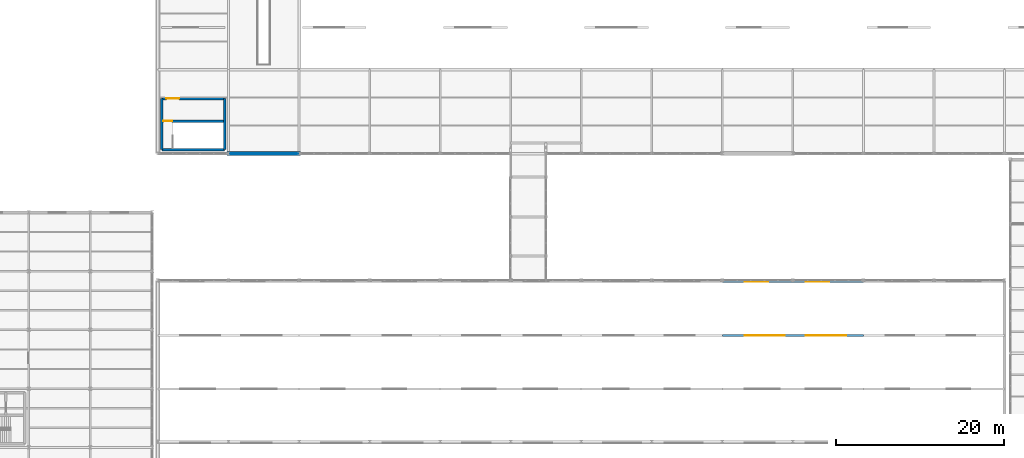
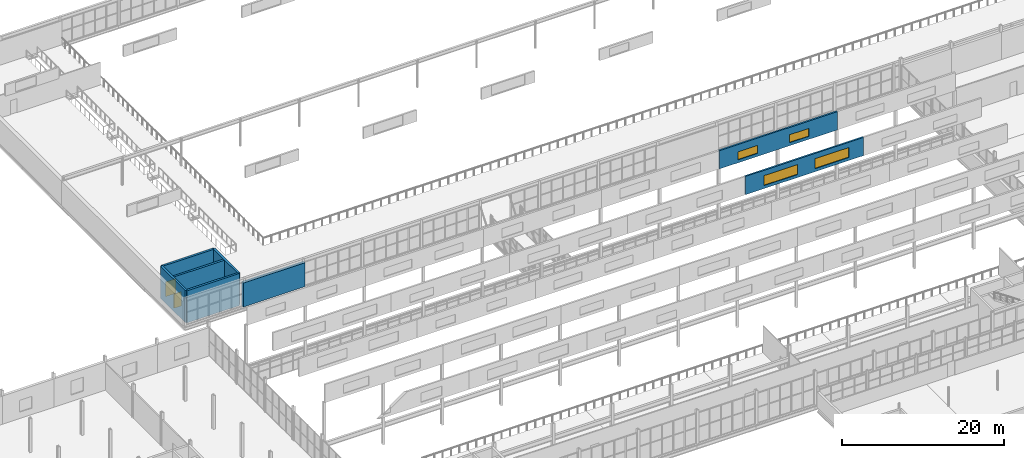
# One storey, part 202 of 218: 8 walls, 4 windows, 2 doors, 6 openings.
"""IFC4 building model written with IfcOpenShell, lengths in metres."""

from ifc_helpers import new_model, si_unit, direction, frame, frame_2d, origin, place, context, subcontext, project, spatial, rectangle, extrude, material, layer, layer_set, type_object, element, fill, save


model = new_model("IFC4")

# Units and contexts
model_context = context("Model", 3, precision=1e-05, world=origin(), true_north=direction((0.0, 1.0)))
body_context = subcontext(model_context, "Body", "Model", "MODEL_VIEW")
ifc_project = project(units=[si_unit("LENGTHUNIT", "METRE"), si_unit("AREAUNIT", "SQUARE_METRE"), si_unit("VOLUMEUNIT", "CUBIC_METRE"), si_unit("PLANEANGLEUNIT", "RADIAN"), si_unit("MASSUNIT", "GRAM", prefix="KILO")], contexts=[model_context])

# Site, building, storey
site_placement = place(None, origin())
site = spatial("IfcSite", under=ifc_project, at=site_placement, CompositionType="ELEMENT")
building_placement = place(site_placement, origin())
building = spatial("IfcBuilding", under=site, at=building_placement, Name="Kazenagashi Tramway Depot", CompositionType="ELEMENT")
storey_placement = place(building_placement, frame((0.0, 0.0, 6.0)))
storey = spatial("IfcBuildingStorey", under=building, at=storey_placement, Name="L02", CompositionType="ELEMENT", Elevation=6.0)

# Wall
ifc_material_1 = material(Name="Clay Brick Masonry JIS R 1250 Class 1 (20 MPa)", Category="masonry")
ifc_layer_1 = layer(ifc_material_1, 0.43)
ifc_layer_set_1 = layer_set([ifc_layer_1], Name="Clay Brick Masonry JIS R 1250 Class 1 (20 MPa)")
wall_type_1 = type_object("IfcWallType", Name="W-BK1", PredefinedType="SOLIDWALL", material=ifc_layer_set_1)
wall_1_placement = place(storey_placement, frame((53.0, 70.0, 0.0), z_axis=(0.0, 0.0, 1.0), x_axis=(1.0, 0.0, 0.0)))
element("IfcWall", 1, at=wall_1_placement, inside=storey, type_object=wall_type_1, Name="Exterior Brick Wall W-BK1 EWALL-0010", PredefinedType="SOLIDWALL", context=body_context, shape_type="SweptSolid", body=[
    extrude(rectangle(XDim=8.8, YDim=0.43, at=frame_2d((4.4, 0.0))), origin(), (0.0, 0.0, 1.0), 3.6),
])

# Wall, openings, windows
ifc_material_2 = material(Name="Galvanised Steel Sheet Insulated Monitor Wall", Category="steel")
ifc_layer_2 = layer(ifc_material_2, 0.24)
ifc_layer_set_2 = layer_set([ifc_layer_2], Name="Galvanised Steel Sheet Insulated Monitor Wall")
wall_type_2 = type_object("IfcWallType", Name="W-MN1", PredefinedType="SOLIDWALL", material=ifc_layer_set_2)
wall_2_placement = place(storey_placement, frame((112.0, 48.36, 9.3), z_axis=(0.0, 0.0, 1.0), x_axis=(1.0, 0.0, 0.0)))
wall_2 = element("IfcWall", 2, at=wall_2_placement, inside=storey, type_object=wall_type_2, Name="Exterior Brick Wall W-MN1 EWALL-0147", PredefinedType="SOLIDWALL", context=body_context, shape_type="SweptSolid", body=[
    extrude(rectangle(XDim=16.8, YDim=0.24, at=frame_2d((8.4, 0.0))), origin(), (0.0, 0.0, 1.0), 2.75),
])
opening_1_placement = place(wall_2_placement, frame((2.64, 0.0, 0.45)))
opening_1 = element("IfcOpeningElement", 3, at=opening_1_placement, cuts=wall_2, Name="Opening SK-04", PredefinedType="OPENING", context=body_context, shape_type="SweptSolid", body=[
    extrude(rectangle(XDim=4.8, YDim=1.5, at=frame_2d((2.4, 0.75))), frame((0.0, 0.13, 0.0), z_axis=(0.0, -1.0, 0.0), x_axis=(1.0, 0.0, 0.0)), (0.0, 0.0, 1.0), 0.26),
])
opening_2_placement = place(wall_2_placement, frame((9.94, 0.0, 0.45)))
opening_2 = element("IfcOpeningElement", 4, at=opening_2_placement, cuts=wall_2, Name="Opening SK-04", PredefinedType="OPENING", context=body_context, shape_type="SweptSolid", body=[
    extrude(rectangle(XDim=4.8, YDim=1.5, at=frame_2d((2.4, 0.75))), frame((0.0, 0.13, 0.0), z_axis=(0.0, -1.0, 0.0), x_axis=(1.0, 0.0, 0.0)), (0.0, 0.0, 1.0), 0.26),
])
ifc_material_3 = material(Name="Wired Fire-Rated Glass and Aluminium Frame", Category="aluminium")
window_type_1 = type_object("IfcWindowType", Name="SK-04", PartitioningType="SINGLE_PANEL", PredefinedType="SKYLIGHT", material=ifc_material_3)
window_1_placement = place(opening_1_placement, origin())
window_1 = element("IfcWindow", 5, at=window_1_placement, inside=storey, type_object=window_type_1, Name="Window SK-04 WIN-0138", OverallHeight=1.5, OverallWidth=4.8, PartitioningType="SINGLE_PANEL", PredefinedType="SKYLIGHT", context=body_context, shape_type="SweptSolid", body=[
    extrude(rectangle(XDim=4.8, YDim=1.5, at=frame_2d((2.4, 0.75))), frame((0.0, 0.03, 0.0), z_axis=(0.0, -1.0, 0.0), x_axis=(1.0, 0.0, 0.0)), (0.0, 0.0, 1.0), 0.06),
])
fill(opening_1, window_1)
window_2_placement = place(opening_2_placement, origin())
window_2 = element("IfcWindow", 6, at=window_2_placement, inside=storey, type_object=window_type_1, Name="Window SK-04 WIN-0139", OverallHeight=1.5, OverallWidth=4.8, PartitioningType="SINGLE_PANEL", PredefinedType="SKYLIGHT", context=body_context, shape_type="SweptSolid", body=[
    extrude(rectangle(XDim=4.8, YDim=1.5, at=frame_2d((2.4, 0.75))), frame((0.0, 0.03, 0.0), z_axis=(0.0, -1.0, 0.0), x_axis=(1.0, 0.0, 0.0)), (0.0, 0.0, 1.0), 0.06),
])
fill(opening_2, window_2)

wall_3_placement = place(storey_placement, frame((112.0, 54.76, 9.3), z_axis=(0.0, 0.0, 1.0), x_axis=(1.0, 0.0, 0.0)))
wall_3 = element("IfcWall", 7, at=wall_3_placement, inside=storey, type_object=wall_type_2, Name="Exterior Brick Wall W-MN1 EWALL-0153", PredefinedType="SOLIDWALL", context=body_context, shape_type="SweptSolid", body=[
    extrude(rectangle(XDim=16.8, YDim=0.24, at=frame_2d((8.4, 0.0))), origin(), (0.0, 0.0, 1.0), 2.75),
])
opening_3_placement = place(wall_3_placement, frame((2.64, 0.0, 0.45)))
opening_3 = element("IfcOpeningElement", 8, at=opening_3_placement, cuts=wall_3, Name="Opening SK-05", PredefinedType="OPENING", context=body_context, shape_type="SweptSolid", body=[
    extrude(rectangle(XDim=2.8, YDim=1.2, at=frame_2d((1.4, 0.6))), frame((0.0, 0.13, 0.0), z_axis=(0.0, -1.0, 0.0), x_axis=(1.0, 0.0, 0.0)), (0.0, 0.0, 1.0), 0.26),
])
opening_4_placement = place(wall_3_placement, frame((9.94, 0.0, 0.45)))
opening_4 = element("IfcOpeningElement", 9, at=opening_4_placement, cuts=wall_3, Name="Opening SK-05", PredefinedType="OPENING", context=body_context, shape_type="SweptSolid", body=[
    extrude(rectangle(XDim=2.8, YDim=1.2, at=frame_2d((1.4, 0.6))), frame((0.0, 0.13, 0.0), z_axis=(0.0, -1.0, 0.0), x_axis=(1.0, 0.0, 0.0)), (0.0, 0.0, 1.0), 0.26),
])
window_type_2 = type_object("IfcWindowType", Name="SK-05", PartitioningType="SINGLE_PANEL", PredefinedType="SKYLIGHT", material=ifc_material_3)
window_3_placement = place(opening_3_placement, origin())
window_3 = element("IfcWindow", 10, at=window_3_placement, inside=storey, type_object=window_type_2, Name="Window SK-05 WIN-0150", OverallHeight=1.2, OverallWidth=2.8, PartitioningType="SINGLE_PANEL", PredefinedType="SKYLIGHT", context=body_context, shape_type="SweptSolid", body=[
    extrude(rectangle(XDim=2.8, YDim=1.2, at=frame_2d((1.4, 0.6))), frame((0.0, 0.03, 0.0), z_axis=(0.0, -1.0, 0.0), x_axis=(1.0, 0.0, 0.0)), (0.0, 0.0, 1.0), 0.06),
])
fill(opening_3, window_3)
window_4_placement = place(opening_4_placement, origin())
window_4 = element("IfcWindow", 11, at=window_4_placement, inside=storey, type_object=window_type_2, Name="Window SK-05 WIN-0151", OverallHeight=1.2, OverallWidth=2.8, PartitioningType="SINGLE_PANEL", PredefinedType="SKYLIGHT", context=body_context, shape_type="SweptSolid", body=[
    extrude(rectangle(XDim=2.8, YDim=1.2, at=frame_2d((1.4, 0.6))), frame((0.0, 0.03, 0.0), z_axis=(0.0, -1.0, 0.0), x_axis=(1.0, 0.0, 0.0)), (0.0, 0.0, 1.0), 0.06),
])
fill(opening_4, window_4)

# Wall
ifc_material_4 = material(Name="Concrete Fc36", Category="concrete")
ifc_layer_3 = layer(ifc_material_4, 0.3)
ifc_layer_set_3 = layer_set([ifc_layer_3], Name="Concrete Fc36")
wall_type_3 = type_object("IfcWallType", Name="W-RC1", PredefinedType="SHEAR", material=ifc_layer_set_3)
wall_4_placement = place(storey_placement, frame((45.26, 70.46, 0.0), z_axis=(0.0, 0.0, 1.0), x_axis=(1.0, 0.0, 0.0)))
element("IfcWall", 12, at=wall_4_placement, inside=storey, type_object=wall_type_3, Name="Core Shear Wall W-RC1 IWALL-0222", PredefinedType="SHEAR", context=body_context, shape_type="SweptSolid", body=[
    extrude(rectangle(XDim=7.48, YDim=0.3, at=frame_2d((3.74, 0.0))), origin(), (0.0, 0.0, 1.0), 4.82),
])

# Wall, opening, door
wall_5_placement = place(storey_placement, frame((45.26, 76.54, 0.0), z_axis=(0.0, 0.0, 1.0), x_axis=(1.0, 0.0, 0.0)))
wall_5 = element("IfcWall", 13, at=wall_5_placement, inside=storey, type_object=wall_type_3, Name="Core Shear Wall W-RC1 IWALL-0223", PredefinedType="SHEAR", context=body_context, shape_type="SweptSolid", body=[
    extrude(rectangle(XDim=7.48, YDim=0.3, at=frame_2d((3.74, 0.0))), origin(), (0.0, 0.0, 1.0), 4.82),
])
opening_5_placement = place(wall_5_placement, frame((0.55, 0.0, 0.0)))
opening_5 = element("IfcOpeningElement", 14, at=opening_5_placement, cuts=wall_5, Name="Opening D-125", PredefinedType="OPENING", context=body_context, shape_type="SweptSolid", body=[
    extrude(rectangle(XDim=1.5, YDim=2.2, at=frame_2d((0.75, 1.1))), frame((0.0, 0.16, 0.0), z_axis=(0.0, -1.0, 0.0), x_axis=(1.0, 0.0, 0.0)), (0.0, 0.0, 1.0), 0.32),
])
ifc_material_5 = material(Name="Galvanised Fire-Rated Steel Door", Category="steel")
door_type_1 = type_object("IfcDoorType", Name="DT-05", OperationType="NOTDEFINED", PredefinedType="DOOR", material=ifc_material_5)
door_1_placement = place(opening_5_placement, origin())
door_1 = element("IfcDoor", 15, at=door_1_placement, inside=storey, type_object=door_type_1, Name="Interior Door D-125", OperationType="DOUBLE_DOOR_SINGLE_SWING", OverallHeight=2.2, OverallWidth=1.5, PredefinedType="DOOR", context=body_context, shape_type="SweptSolid", body=[
    extrude(rectangle(XDim=1.5, YDim=2.2, at=frame_2d((0.75, 1.1))), frame((0.0, 0.025, 0.0), z_axis=(0.0, -1.0, 0.0), x_axis=(1.0, 0.0, 0.0)), (0.0, 0.0, 1.0), 0.05),
])
fill(opening_5, door_1)

# Walls
for number, where, z_axis, x_axis, name in (
    (16, (45.26, 70.46, 0.0), (0.0, 0.0, 1.0), (0.0, 1.0, 0.0), "Core Shear Wall W-RC1 IWALL-0224"),
    (17, (52.74, 70.46, 0.0), (0.0, 0.0, 1.0), (0.0, 1.0, 0.0), "Core Shear Wall W-RC1 IWALL-0225"),
):
    element("IfcWall", number, at=place(storey_placement, frame(where, z_axis=z_axis, x_axis=x_axis)), inside=storey, type_object=wall_type_3, Name=name, PredefinedType="SHEAR", context=body_context, shape_type="SweptSolid", body=[
        extrude(rectangle(XDim=6.08, YDim=0.3, at=frame_2d((3.04, 0.0))), origin(), (0.0, 0.0, 1.0), 4.82),
    ])

# Wall, opening, door
wall_6_placement = place(storey_placement, frame((45.26, 73.85, 0.0), z_axis=(0.0, 0.0, 1.0), x_axis=(1.0, 0.0, 0.0)))
wall_6 = element("IfcWall", 18, at=wall_6_placement, inside=storey, type_object=wall_type_3, Name="Core Shear Wall W-RC1 IWALL-0226", PredefinedType="SHEAR", context=body_context, shape_type="SweptSolid", body=[
    extrude(rectangle(XDim=7.48, YDim=0.3, at=frame_2d((3.74, 0.0))), origin(), (0.0, 0.0, 1.0), 4.82),
])
opening_6_placement = place(wall_6_placement, frame((0.185, 0.0, 0.0)))
opening_6 = element("IfcOpeningElement", 19, at=opening_6_placement, cuts=wall_6, Name="Opening D-124", PredefinedType="OPENING", context=body_context, shape_type="SweptSolid", body=[
    extrude(rectangle(XDim=1.05, YDim=2.15, at=frame_2d((0.525, 1.075))), frame((0.0, 0.16, 0.0), z_axis=(0.0, -1.0, 0.0), x_axis=(1.0, 0.0, 0.0)), (0.0, 0.0, 1.0), 0.32),
])
door_type_2 = type_object("IfcDoorType", Name="DT-07", OperationType="NOTDEFINED", PredefinedType="DOOR", material=ifc_material_5)
door_2_placement = place(opening_6_placement, origin())
door_2 = element("IfcDoor", 20, at=door_2_placement, inside=storey, type_object=door_type_2, Name="Interior Door D-124", OperationType="SINGLE_SWING_LEFT", OverallHeight=2.15, OverallWidth=1.05, PredefinedType="DOOR", context=body_context, shape_type="SweptSolid", body=[
    extrude(rectangle(XDim=1.05, YDim=2.15, at=frame_2d((0.525, 1.075))), frame((0.0, 0.025, 0.0), z_axis=(0.0, -1.0, 0.0), x_axis=(1.0, 0.0, 0.0)), (0.0, 0.0, 1.0), 0.05),
])
fill(opening_6, door_2)

save(model, "model.ifc")
